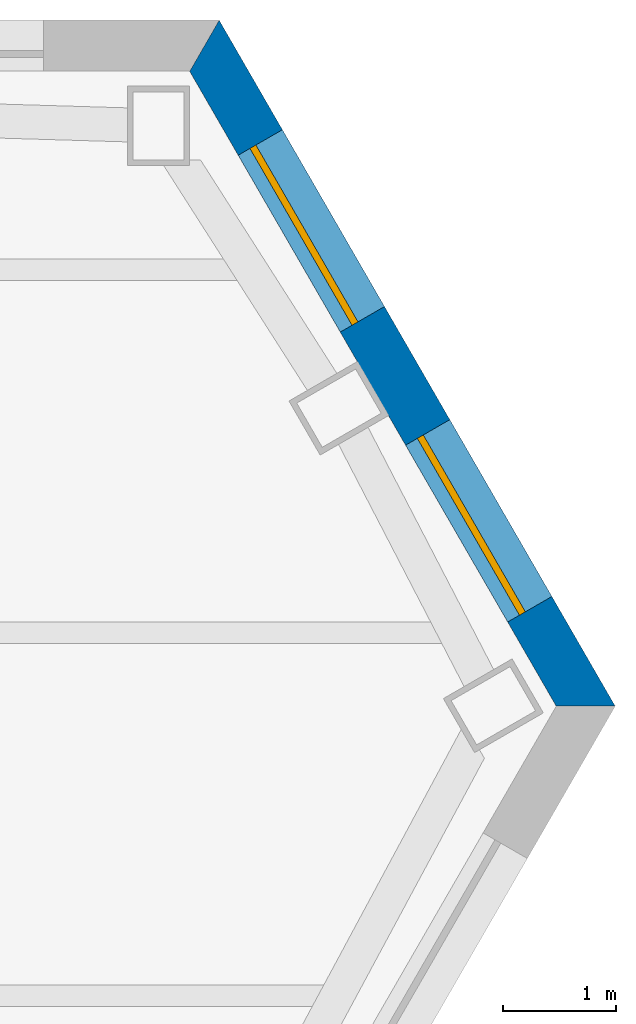
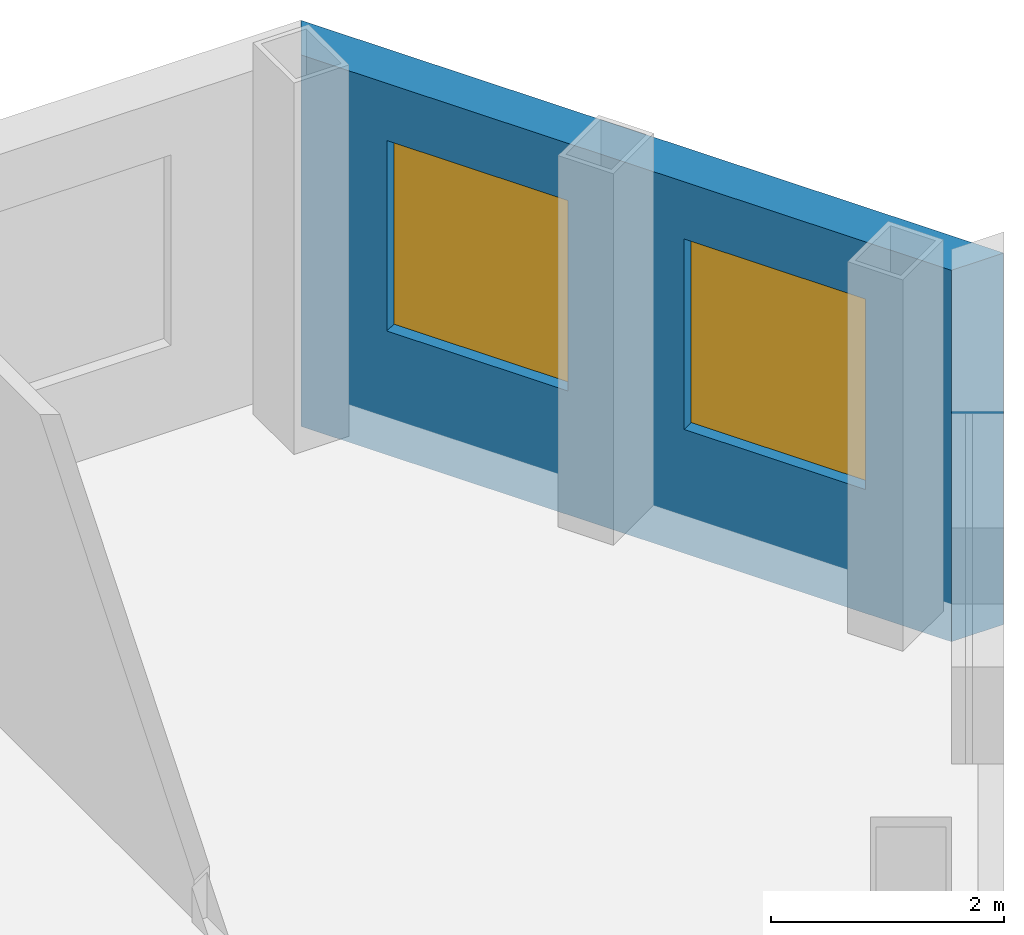
# One storey, part 8 of 11: 2 windows, 1 wall, 2 openings.
"""IFC4 building model written with IfcOpenShell, lengths in metres."""

from ifc_helpers import new_model, si_unit, direction, frame, frame_2d, origin, place, context, subcontext, project, spatial, polyline, rectangle, outline, extrude, material, layer, layer_set, type_object, element, fill, save


model = new_model("IFC4")

# Units and contexts
model_context = context("Model", 3, precision=1e-05, world=origin(), true_north=direction((0.0, 1.0)))
body_context = subcontext(model_context, "Body", "Model", "MODEL_VIEW")
ifc_project = project(units=[si_unit("LENGTHUNIT", "METRE"), si_unit("AREAUNIT", "SQUARE_METRE"), si_unit("VOLUMEUNIT", "CUBIC_METRE"), si_unit("PLANEANGLEUNIT", "RADIAN"), si_unit("MASSUNIT", "GRAM", prefix="KILO")], contexts=[model_context])

# Site, building, storey
site_placement = place(None, origin())
site = spatial("IfcSite", under=ifc_project, at=site_placement, CompositionType="ELEMENT")
building_placement = place(site_placement, origin())
building = spatial("IfcBuilding", under=site, at=building_placement, Name="Njiva Tower", CompositionType="ELEMENT")
storey_placement = place(building_placement, frame((0.0, 0.0, 223.8)))
storey = spatial("IfcBuildingStorey", under=building, at=storey_placement, Name="L50", CompositionType="ELEMENT", Elevation=223.8)

# Wall, openings, windows
ifc_material_1 = material(Name="Brick masonry, buff", Category="masonry")
ifc_layer = layer(ifc_material_1, 0.45)
ifc_layer_set = layer_set([ifc_layer], Name="Brick masonry, buff")
wall_type = type_object("IfcWallType", Name="WT94 Brick pier and spandrel wall 450, buff", PredefinedType="SOLIDWALL", material=ifc_layer_set)
wall_placement = place(storey_placement, frame((26.2314, 14.153, -0.4), z_axis=(0.0, 0.0, 1.0), x_axis=(-0.500004118585, 0.866023025905, 0.0)))
wall = element("IfcWall", 1, at=wall_placement, inside=storey, type_object=wall_type, Name="Facade wall NE", PredefinedType="SOLIDWALL", context=body_context, shape_type="SweptSolid", body=[
    extrude(outline(polyline([(-0.1299, -0.225), (6.85, -0.225), (6.5902, 0.225), (0.1299, 0.225), (-0.1299, -0.225)])), origin(), (0.0, 0.0, 1.0), 3.9),
])
opening_1_placement = place(wall_placement, frame((0.9844, 0.0, 1.3)))
opening_1 = element("IfcOpeningElement", 2, at=opening_1_placement, cuts=wall, Name="Opening S16-W31", PredefinedType="OPENING", context=body_context, shape_type="SweptSolid", body=[
    extrude(rectangle(XDim=1.8, YDim=2.0, at=frame_2d((0.9, 1.0))), frame((0.0, 0.235, 0.0), z_axis=(0.0, -1.0, 0.0), x_axis=(1.0, 0.0, 0.0)), (0.0, 0.0, 1.0), 0.47),
])
opening_2_placement = place(wall_placement, frame((3.9357, 0.0, 1.3)))
opening_2 = element("IfcOpeningElement", 3, at=opening_2_placement, cuts=wall, Name="Opening S16-W32", PredefinedType="OPENING", context=body_context, shape_type="SweptSolid", body=[
    extrude(rectangle(XDim=1.8, YDim=2.0, at=frame_2d((0.9, 1.0))), frame((0.0, 0.235, 0.0), z_axis=(0.0, -1.0, 0.0), x_axis=(1.0, 0.0, 0.0)), (0.0, 0.0, 1.0), 0.47),
])
ifc_material_2 = material(Name="Clear glazing in aluminium frame", Category="aluminium")
window_type = type_object("IfcWindowType", Name="W94 Deep-set window 1800x2000", PartitioningType="SINGLE_PANEL", PredefinedType="WINDOW", material=ifc_material_2)
window_1_placement = place(opening_1_placement, origin())
window_1 = element("IfcWindow", 4, at=window_1_placement, inside=storey, type_object=window_type, Name="Window", OverallHeight=2.0, OverallWidth=1.8, PartitioningType="SINGLE_PANEL", PredefinedType="WINDOW", context=body_context, shape_type="SweptSolid", body=[
    extrude(rectangle(XDim=1.8, YDim=2.0, at=frame_2d((0.9, 1.0))), frame((0.0, 0.105, 0.0), z_axis=(0.0, -1.0, 0.0), x_axis=(1.0, 0.0, 0.0)), (0.0, 0.0, 1.0), 0.06),
])
fill(opening_1, window_1)
window_2_placement = place(opening_2_placement, origin())
window_2 = element("IfcWindow", 5, at=window_2_placement, inside=storey, type_object=window_type, Name="Window", OverallHeight=2.0, OverallWidth=1.8, PartitioningType="SINGLE_PANEL", PredefinedType="WINDOW", context=body_context, shape_type="SweptSolid", body=[
    extrude(rectangle(XDim=1.8, YDim=2.0, at=frame_2d((0.9, 1.0))), frame((0.0, 0.105, 0.0), z_axis=(0.0, -1.0, 0.0), x_axis=(1.0, 0.0, 0.0)), (0.0, 0.0, 1.0), 0.06),
])
fill(opening_2, window_2)

save(model, "model.ifc")
